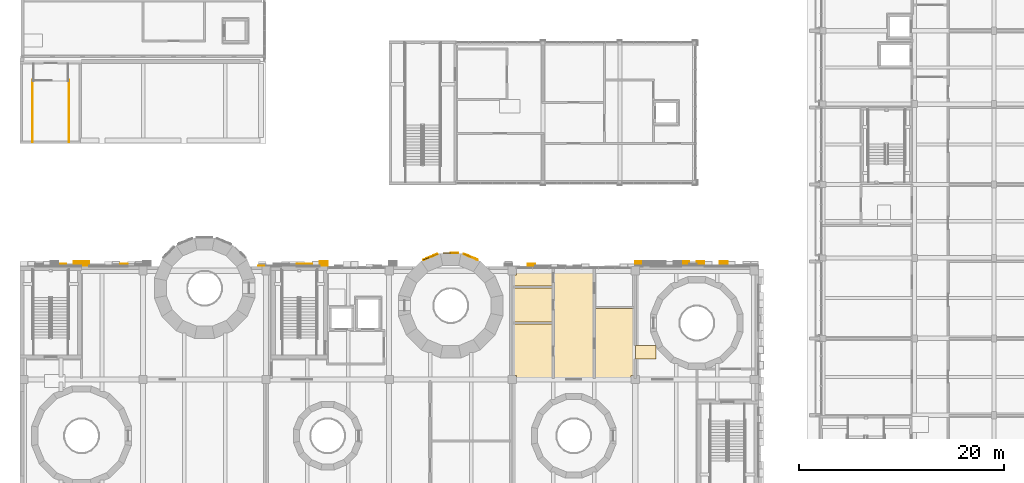
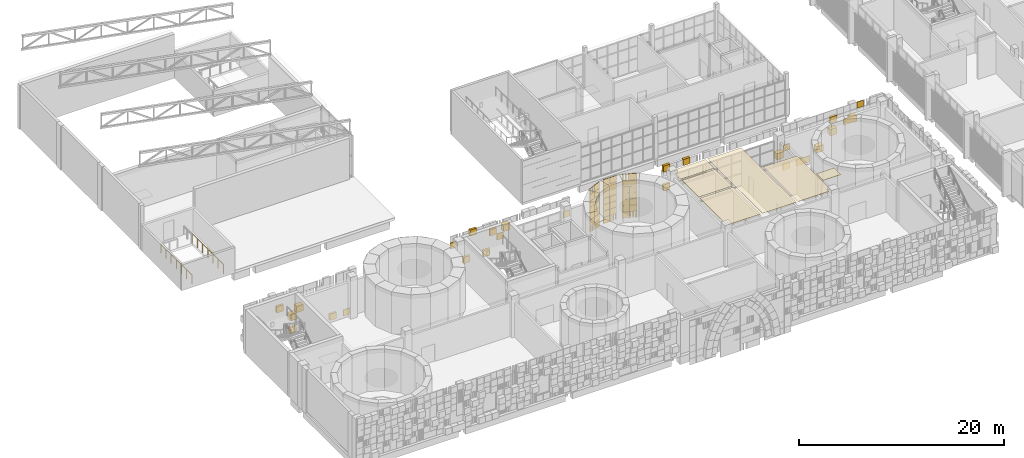
# One storey, part 100 of 125: 13 coverings, 2 railings.
"""IFC4 building model written with IfcOpenShell, lengths in metres."""

from ifc_helpers import new_model, si_unit, direction, frame, origin, origin_2d, place, context, subcontext, project, spatial, polyline, rectangle, circle, outline, extrude, material, layer, layer_set, type_object, element, save


model = new_model("IFC4")

# Units and contexts
model_context = context("Model", 3, precision=1e-05, world=origin(), true_north=direction((0.0, 1.0)))
body_context = subcontext(model_context, "Body", "Model", "MODEL_VIEW")
ifc_project = project(units=[si_unit("LENGTHUNIT", "METRE"), si_unit("AREAUNIT", "SQUARE_METRE"), si_unit("VOLUMEUNIT", "CUBIC_METRE"), si_unit("PLANEANGLEUNIT", "RADIAN"), si_unit("MASSUNIT", "GRAM", prefix="KILO")], contexts=[model_context])

# Site, building, storey
site_placement = place(None, origin())
site = spatial("IfcSite", under=ifc_project, at=site_placement, CompositionType="ELEMENT")
building_placement = place(site_placement, origin())
building = spatial("IfcBuilding", under=site, at=building_placement, Name="Sun Court Science Centre", CompositionType="ELEMENT")
storey_placement = place(building_placement, frame((0.0, 0.0, 6.0)))
storey = spatial("IfcBuildingStorey", under=building, at=storey_placement, Name="L01", CompositionType="ELEMENT", Elevation=6.0)

# Coverings
ifc_material_1 = material(Name="Gypsum board")
ifc_layer_1 = layer(ifc_material_1, 0.030029296875)
ifc_layer_set_1 = layer_set([ifc_layer_1], Name="Gypsum board")
covering_type_1 = type_object("IfcCoveringType", Name="Ceiling suspended 600 module", PredefinedType="CEILING", material=ifc_layer_set_1)
covering_1_placement = place(storey_placement, frame((0.0, 0.0, 4.52001953125)))
element("IfcCovering", 1, at=covering_1_placement, inside=storey, type_object=covering_type_1, Name="L01-019 ceiling", PredefinedType="CEILING", context=body_context, shape_type="SweptSolid", body=[
    extrude(outline(polyline([(48.10009765625, 17.39990234375), (48.10009765625, 22.39990234375), (51.89990234375, 22.39990234375), (51.89990234375, 17.10009765625), (48.39990234375, 17.10009765625), (48.39990234375, 17.39990234375), (48.10009765625, 17.39990234375)])), origin(), (0.0, 0.0, 1.0), 0.030029296875),
])
covering_2_placement = place(storey_placement, frame((0.0, 0.0, 4.52001953125)))
element("IfcCovering", 2, at=covering_2_placement, inside=storey, type_object=covering_type_1, Name="L01-020 ceiling", PredefinedType="CEILING", context=body_context, shape_type="SweptSolid", body=[
    extrude(outline(polyline([(48.10009765625, 25.89990234375), (51.89990234375, 25.89990234375), (51.89990234375, 22.60009765625), (48.10009765625, 22.60009765625), (48.10009765625, 25.89990234375)])), origin(), (0.0, 0.0, 1.0), 0.030029296875),
])
covering_3_placement = place(storey_placement, frame((0.0, 0.0, 4.52001953125)))
element("IfcCovering", 3, at=covering_3_placement, inside=storey, type_object=covering_type_1, Name="L01-021 ceiling", PredefinedType="CEILING", context=body_context, shape_type="SweptSolid", body=[
    extrude(outline(polyline([(51.89990234375, 27.800048828125), (51.89990234375, 26.10009765625), (48.10009765625, 26.10009765625), (48.10009765625, 27.199951171875), (48.39990234375, 27.199951171875), (48.39990234375, 27.800048828125), (51.89990234375, 27.800048828125)])), origin(), (0.0, 0.0, 1.0), 0.030029296875),
])
covering_4_placement = place(storey_placement, frame((0.0, 0.0, 4.52001953125)))
element("IfcCovering", 4, at=covering_4_placement, inside=storey, type_object=covering_type_1, Name="L01-022 ceiling", PredefinedType="CEILING", context=body_context, shape_type="SweptSolid", body=[
    extrude(outline(polyline([(55.89990234375, 27.800048828125), (55.89990234375, 17.10009765625), (52.10009765625, 17.10009765625), (52.10009765625, 27.800048828125), (55.89990234375, 27.800048828125)])), origin(), (0.0, 0.0, 1.0), 0.030029296875),
])
covering_5_placement = place(storey_placement, frame((0.0, 0.0, 4.52001953125)))
element("IfcCovering", 5, at=covering_5_placement, inside=storey, type_object=covering_type_1, Name="L01-023 ceiling", PredefinedType="CEILING", context=body_context, shape_type="SweptSolid", body=[
    extrude(outline(polyline([(56.10009765625, 17.10009765625), (56.10009765625, 23.89990234375), (59.89990234375, 23.89990234375), (59.89990234375, 17.39990234375), (59.60009765625, 17.39990234375), (59.60009765625, 17.10009765625), (56.10009765625, 17.10009765625)])), origin(), (0.0, 0.0, 1.0), 0.030029296875),
])
covering_6_placement = place(storey_placement, frame((0.0, 0.0, 4.52001953125)))
element("IfcCovering", 6, at=covering_6_placement, inside=storey, type_object=covering_type_1, Name="L01-030 ceiling", PredefinedType="CEILING", context=body_context, shape_type="SweptSolid", body=[
    extrude(outline(polyline([(62.0, 20.300048828125), (62.0, 19.0), (60.0, 19.0), (60.0, 20.300048828125), (62.0, 20.300048828125)])), origin(), (0.0, 0.0, 1.0), 0.030029296875),
])

# Railings
ifc_material_2 = material(Name="Steel S275", Category="steel")
railing_type = type_object("IfcRailingType", Name="Guard 1100 steel balustrade", PredefinedType="GUARDRAIL", material=ifc_material_2)
for number, where, name in (
    (7, (1.22705078125, 46.201904296875, 0.0), "L01 ST1 top well guard 2"),
    (8, (4.77294921875, 46.201904296875, 0.0), "L01 ST1 top well guard 3"),
):
    element("IfcRailing", number, at=place(storey_placement, frame(where)), inside=storey, type_object=railing_type, Name=name, PredefinedType="GUARDRAIL", context=body_context, shape_type="SweptSolid", body=[
        extrude(circle(Radius=0.02392578125, at=origin_2d()), frame((0.0, 0.0, 1.076171875), z_axis=(0.0, -1.0, 0.0), x_axis=(1.0, 0.0, 0.0)), (0.0, 0.0, 1.0), 6.052001953125),
        extrude(circle(Radius=0.02099609375, at=origin_2d()), origin(), (0.0, 0.0, 1.0), 1.052001953125),
        extrude(circle(Radius=0.02099609375, at=origin_2d()), frame((0.0, -1.0087890625, 0.0)), (0.0, 0.0, 1.0), 1.052001953125),
        extrude(circle(Radius=0.02099609375, at=origin_2d()), frame((0.0, -2.017333984375, 0.0)), (0.0, 0.0, 1.0), 1.052001953125),
        extrude(circle(Radius=0.02099609375, at=origin_2d()), frame((0.0, -3.02587890625, 0.0)), (0.0, 0.0, 1.0), 1.052001953125),
        extrude(circle(Radius=0.02099609375, at=origin_2d()), frame((0.0, -4.03466796875, 0.0)), (0.0, 0.0, 1.0), 1.052001953125),
        extrude(circle(Radius=0.02099609375, at=origin_2d()), frame((0.0, -5.04345703125, 0.0)), (0.0, 0.0, 1.0), 1.052001953125),
        extrude(circle(Radius=0.02099609375, at=origin_2d()), frame((0.0, -6.052001953125, 0.0)), (0.0, 0.0, 1.0), 1.052001953125),
    ])

# Coverings
ifc_material_3 = material(Name="Terracotta jali", Category="masonry")
ifc_layer_2 = layer(ifc_material_3, 0.06005859375)
ifc_layer_set_2 = layer_set([ifc_layer_2], Name="Terracotta jali")
covering_type_2 = type_object("IfcCoveringType", Name="Terracotta open jali panel", PredefinedType="CLADDING", material=ifc_layer_set_2)
covering_7_placement = place(storey_placement, frame((0.0, 0.0, -6.0)))
element("IfcCovering", 9, at=covering_7_placement, inside=storey, type_object=covering_type_2, Name="Open jali pixel cladding cone 4 L01", PredefinedType="CLADDING", context=body_context, shape_type="SweptSolid", body=[
    extrude(rectangle(XDim=0.139892578125, YDim=0.06005859375, at=origin_2d()), frame((44.032470703125, 28.910888671875, 5.705078125), z_axis=(0.0, 0.0, 1.0), x_axis=(0.923879532511, -0.382683432365, 0.0)), (0.0, 0.0, 1.0), 0.739990234375),
    extrude(rectangle(XDim=0.139892578125, YDim=0.06005859375, at=origin_2d()), frame((44.3095703125, 28.796142578125, 5.705078125), z_axis=(0.0, 0.0, 1.0), x_axis=(0.923879532511, -0.382683432365, 0.0)), (0.0, 0.0, 1.0), 0.739990234375),
    extrude(rectangle(XDim=0.139892578125, YDim=0.06005859375, at=origin_2d()), frame((44.5869140625, 28.68115234375, 5.705078125), z_axis=(0.0, 0.0, 1.0), x_axis=(0.923879532511, -0.382683432365, 0.0)), (0.0, 0.0, 1.0), 0.739990234375),
    extrude(rectangle(XDim=0.139892578125, YDim=0.06005859375, at=origin_2d()), frame((43.339599609375, 29.197998046875, 10.205078125), z_axis=(0.0, 0.0, 1.0), x_axis=(0.923879532511, -0.382683432365, 0.0)), (0.0, 0.0, 1.0), 0.739990234375),
    extrude(rectangle(XDim=0.139892578125, YDim=0.06005859375, at=origin_2d()), frame((43.61669921875, 29.0830078125, 10.205078125), z_axis=(0.0, 0.0, 1.0), x_axis=(0.923879532511, -0.382683432365, 0.0)), (0.0, 0.0, 1.0), 0.739990234375),
    extrude(rectangle(XDim=0.139892578125, YDim=0.06005859375, at=origin_2d()), frame((43.893798828125, 28.96826171875, 10.205078125), z_axis=(0.0, 0.0, 1.0), x_axis=(0.923879532511, -0.382683432365, 0.0)), (0.0, 0.0, 1.0), 0.739990234375),
    extrude(rectangle(XDim=0.139892578125, YDim=0.06005859375, at=origin_2d()), frame((42.074951171875, 29.330078125, 5.705078125), z_axis=(0.0, 0.0, 1.0), x_axis=(1.0, 0.0, 0.0)), (0.0, 0.0, 1.0), 0.739990234375),
    extrude(rectangle(XDim=0.139892578125, YDim=0.06005859375, at=origin_2d()), frame((42.375, 29.330078125, 5.705078125), z_axis=(0.0, 0.0, 1.0), x_axis=(1.0, 0.0, 0.0)), (0.0, 0.0, 1.0), 0.739990234375),
    extrude(rectangle(XDim=0.139892578125, YDim=0.06005859375, at=origin_2d()), frame((42.675048828125, 29.330078125, 5.705078125), z_axis=(0.0, 0.0, 1.0), x_axis=(1.0, 0.0, 0.0)), (0.0, 0.0, 1.0), 0.739990234375),
    extrude(rectangle(XDim=0.139892578125, YDim=0.06005859375, at=origin_2d()), frame((39.4130859375, 28.68115234375, 5.705078125), z_axis=(0.0, 0.0, 1.0), x_axis=(0.923879532511, 0.382683432365, 0.0)), (0.0, 0.0, 1.0), 0.739990234375),
    extrude(rectangle(XDim=0.139892578125, YDim=0.06005859375, at=origin_2d()), frame((39.6904296875, 28.796142578125, 5.705078125), z_axis=(0.0, 0.0, 1.0), x_axis=(0.923879532511, 0.382683432365, 0.0)), (0.0, 0.0, 1.0), 0.739990234375),
    extrude(rectangle(XDim=0.139892578125, YDim=0.06005859375, at=origin_2d()), frame((39.967529296875, 28.910888671875, 5.705078125), z_axis=(0.0, 0.0, 1.0), x_axis=(0.923879532511, 0.382683432365, 0.0)), (0.0, 0.0, 1.0), 0.739990234375),
    extrude(rectangle(XDim=0.139892578125, YDim=0.06005859375, at=origin_2d()), frame((40.106201171875, 28.96826171875, 8.705078125), z_axis=(0.0, 0.0, 1.0), x_axis=(0.923879532511, 0.382683432365, 0.0)), (0.0, 0.0, 1.0), 0.739990234375),
    extrude(rectangle(XDim=0.139892578125, YDim=0.06005859375, at=origin_2d()), frame((40.38330078125, 29.0830078125, 8.705078125), z_axis=(0.0, 0.0, 1.0), x_axis=(0.923879532511, 0.382683432365, 0.0)), (0.0, 0.0, 1.0), 0.739990234375),
    extrude(rectangle(XDim=0.139892578125, YDim=0.06005859375, at=origin_2d()), frame((40.660400390625, 29.197998046875, 8.705078125), z_axis=(0.0, 0.0, 1.0), x_axis=(0.923879532511, 0.382683432365, 0.0)), (0.0, 0.0, 1.0), 0.739990234375),
    extrude(rectangle(XDim=0.139892578125, YDim=0.06005859375, at=origin_2d()), frame((39.4130859375, 28.68115234375, 10.205078125), z_axis=(0.0, 0.0, 1.0), x_axis=(0.923879532511, 0.382683432365, 0.0)), (0.0, 0.0, 1.0), 0.739990234375),
    extrude(rectangle(XDim=0.139892578125, YDim=0.06005859375, at=origin_2d()), frame((39.6904296875, 28.796142578125, 10.205078125), z_axis=(0.0, 0.0, 1.0), x_axis=(0.923879532511, 0.382683432365, 0.0)), (0.0, 0.0, 1.0), 0.739990234375),
    extrude(rectangle(XDim=0.139892578125, YDim=0.06005859375, at=origin_2d()), frame((39.967529296875, 28.910888671875, 10.205078125), z_axis=(0.0, 0.0, 1.0), x_axis=(0.923879532511, 0.382683432365, 0.0)), (0.0, 0.0, 1.0), 0.739990234375),
    extrude(rectangle(XDim=0.739990234375, YDim=0.06005859375, at=origin_2d()), frame((44.3095703125, 28.796142578125, 7.205078125), z_axis=(0.0, 0.0, 1.0), x_axis=(0.923879532511, -0.382683432365, 0.0)), (0.0, 0.0, 1.0), 0.739990234375),
    extrude(rectangle(XDim=0.739990234375, YDim=0.06005859375, at=origin_2d()), frame((39.6904296875, 28.796142578125, 6.455078125), z_axis=(0.0, 0.0, 1.0), x_axis=(0.923879532511, 0.382683432365, 0.0)), (0.0, 0.0, 1.0), 0.739990234375),
    extrude(rectangle(XDim=0.739990234375, YDim=0.06005859375, at=origin_2d()), frame((39.6904296875, 28.796142578125, 7.955078125), z_axis=(0.0, 0.0, 1.0), x_axis=(0.923879532511, 0.382683432365, 0.0)), (0.0, 0.0, 1.0), 0.739990234375),
    extrude(rectangle(XDim=0.739990234375, YDim=0.06005859375, at=origin_2d()), frame((42.375, 29.330078125, 10.205078125), z_axis=(0.0, 0.0, 1.0), x_axis=(1.0, 0.0, 0.0)), (0.0, 0.0, 1.0), 0.739990234375),
    extrude(rectangle(XDim=0.739990234375, YDim=0.06005859375, at=origin_2d()), frame((40.38330078125, 29.0830078125, 5.705078125), z_axis=(0.0, 0.0, 1.0), x_axis=(0.923879532511, 0.382683432365, 0.0)), (0.0, 0.0, 1.0), 0.739990234375),
    extrude(rectangle(XDim=0.739990234375, YDim=0.06005859375, at=origin_2d()), frame((39.6904296875, 28.796142578125, 8.705078125), z_axis=(0.0, 0.0, 1.0), x_axis=(0.923879532511, 0.382683432365, 0.0)), (0.0, 0.0, 1.0), 0.739990234375),
    extrude(rectangle(XDim=0.739990234375, YDim=0.06005859375, at=origin_2d()), frame((44.3095703125, 28.796142578125, 10.205078125), z_axis=(0.0, 0.0, 1.0), x_axis=(0.923879532511, -0.382683432365, 0.0)), (0.0, 0.0, 1.0), 0.739990234375),
])
ifc_material_4 = material(Name="Terracotta shade 1", Category="masonry")
ifc_layer_3 = layer(ifc_material_4, 0.06005859375)
ifc_layer_set_3 = layer_set([ifc_layer_3], Name="Terracotta shade 1")
covering_type_3 = type_object("IfcCoveringType", Name="Terracotta pixel panel shade 1", PredefinedType="CLADDING", material=ifc_layer_set_3)
covering_8_placement = place(storey_placement, frame((0.0, 0.0, -6.0)))
element("IfcCovering", 10, at=covering_8_placement, inside=storey, type_object=covering_type_3, Name="Terracotta pixel cladding shade 1 cone 4 L01", PredefinedType="CLADDING", context=body_context, shape_type="SweptSolid", body=[
    extrude(rectangle(XDim=0.739990234375, YDim=0.06005859375, at=origin_2d()), frame((43.61669921875, 29.0830078125, 6.455078125), z_axis=(0.0, 0.0, 1.0), x_axis=(0.923879532511, -0.382683432365, 0.0)), (0.0, 0.0, 1.0), 0.739990234375),
    extrude(rectangle(XDim=0.739990234375, YDim=0.06005859375, at=origin_2d()), frame((43.61669921875, 29.0830078125, 7.205078125), z_axis=(0.0, 0.0, 1.0), x_axis=(0.923879532511, -0.382683432365, 0.0)), (0.0, 0.0, 1.0), 0.739990234375),
    extrude(rectangle(XDim=0.739990234375, YDim=0.06005859375, at=origin_2d()), frame((43.61669921875, 29.0830078125, 8.705078125), z_axis=(0.0, 0.0, 1.0), x_axis=(0.923879532511, -0.382683432365, 0.0)), (0.0, 0.0, 1.0), 0.739990234375),
    extrude(rectangle(XDim=0.739990234375, YDim=0.06005859375, at=origin_2d()), frame((41.625, 29.330078125, 7.205078125), z_axis=(0.0, 0.0, 1.0), x_axis=(1.0, 0.0, 0.0)), (0.0, 0.0, 1.0), 0.739990234375),
    extrude(rectangle(XDim=0.739990234375, YDim=0.06005859375, at=origin_2d()), frame((41.625, 29.330078125, 8.705078125), z_axis=(0.0, 0.0, 1.0), x_axis=(1.0, 0.0, 0.0)), (0.0, 0.0, 1.0), 0.739990234375),
    extrude(rectangle(XDim=0.739990234375, YDim=0.06005859375, at=origin_2d()), frame((42.375, 29.330078125, 8.705078125), z_axis=(0.0, 0.0, 1.0), x_axis=(1.0, 0.0, 0.0)), (0.0, 0.0, 1.0), 0.739990234375),
    extrude(rectangle(XDim=0.739990234375, YDim=0.06005859375, at=origin_2d()), frame((41.625, 29.330078125, 9.455078125), z_axis=(0.0, 0.0, 1.0), x_axis=(1.0, 0.0, 0.0)), (0.0, 0.0, 1.0), 0.739990234375),
    extrude(rectangle(XDim=0.739990234375, YDim=0.06005859375, at=origin_2d()), frame((42.375, 29.330078125, 9.455078125), z_axis=(0.0, 0.0, 1.0), x_axis=(1.0, 0.0, 0.0)), (0.0, 0.0, 1.0), 0.739990234375),
    extrude(rectangle(XDim=0.739990234375, YDim=0.06005859375, at=origin_2d()), frame((41.625, 29.330078125, 10.205078125), z_axis=(0.0, 0.0, 1.0), x_axis=(1.0, 0.0, 0.0)), (0.0, 0.0, 1.0), 0.739990234375),
    extrude(rectangle(XDim=0.739990234375, YDim=0.06005859375, at=origin_2d()), frame((40.38330078125, 29.0830078125, 7.205078125), z_axis=(0.0, 0.0, 1.0), x_axis=(0.923879532511, 0.382683432365, 0.0)), (0.0, 0.0, 1.0), 0.739990234375),
    extrude(rectangle(XDim=0.739990234375, YDim=0.06005859375, at=origin_2d()), frame((43.61669921875, 29.0830078125, 7.955078125), z_axis=(0.0, 0.0, 1.0), x_axis=(0.923879532511, -0.382683432365, 0.0)), (0.0, 0.0, 1.0), 0.739990234375),
    extrude(rectangle(XDim=0.739990234375, YDim=0.06005859375, at=origin_2d()), frame((42.375, 29.330078125, 6.455078125), z_axis=(0.0, 0.0, 1.0), x_axis=(1.0, 0.0, 0.0)), (0.0, 0.0, 1.0), 0.739990234375),
])
ifc_material_5 = material(Name="Terracotta shade 2", Category="masonry")
ifc_layer_4 = layer(ifc_material_5, 0.06005859375)
ifc_layer_set_4 = layer_set([ifc_layer_4], Name="Terracotta shade 2")
covering_type_4 = type_object("IfcCoveringType", Name="Terracotta pixel panel shade 2", PredefinedType="CLADDING", material=ifc_layer_set_4)
covering_9_placement = place(storey_placement, frame((0.0, 0.0, -6.0)))
element("IfcCovering", 11, at=covering_9_placement, inside=storey, type_object=covering_type_4, Name="Terracotta pixel cladding shade 2 cone 4 L01", PredefinedType="CLADDING", context=body_context, shape_type="SweptSolid", body=[
    extrude(rectangle(XDim=0.739990234375, YDim=0.06005859375, at=origin_2d()), frame((43.61669921875, 29.0830078125, 5.705078125), z_axis=(0.0, 0.0, 1.0), x_axis=(0.923879532511, -0.382683432365, 0.0)), (0.0, 0.0, 1.0), 0.739990234375),
    extrude(rectangle(XDim=0.739990234375, YDim=0.06005859375, at=origin_2d()), frame((44.3095703125, 28.796142578125, 6.455078125), z_axis=(0.0, 0.0, 1.0), x_axis=(0.923879532511, -0.382683432365, 0.0)), (0.0, 0.0, 1.0), 0.739990234375),
    extrude(rectangle(XDim=0.739990234375, YDim=0.06005859375, at=origin_2d()), frame((44.3095703125, 28.796142578125, 7.955078125), z_axis=(0.0, 0.0, 1.0), x_axis=(0.923879532511, -0.382683432365, 0.0)), (0.0, 0.0, 1.0), 0.739990234375),
    extrude(rectangle(XDim=0.739990234375, YDim=0.06005859375, at=origin_2d()), frame((43.61669921875, 29.0830078125, 9.455078125), z_axis=(0.0, 0.0, 1.0), x_axis=(0.923879532511, -0.382683432365, 0.0)), (0.0, 0.0, 1.0), 0.739990234375),
    extrude(rectangle(XDim=0.739990234375, YDim=0.06005859375, at=origin_2d()), frame((42.375, 29.330078125, 7.205078125), z_axis=(0.0, 0.0, 1.0), x_axis=(1.0, 0.0, 0.0)), (0.0, 0.0, 1.0), 0.739990234375),
    extrude(rectangle(XDim=0.739990234375, YDim=0.06005859375, at=origin_2d()), frame((40.38330078125, 29.0830078125, 6.455078125), z_axis=(0.0, 0.0, 1.0), x_axis=(0.923879532511, 0.382683432365, 0.0)), (0.0, 0.0, 1.0), 0.739990234375),
    extrude(rectangle(XDim=0.739990234375, YDim=0.06005859375, at=origin_2d()), frame((44.3095703125, 28.796142578125, 8.705078125), z_axis=(0.0, 0.0, 1.0), x_axis=(0.923879532511, -0.382683432365, 0.0)), (0.0, 0.0, 1.0), 0.739990234375),
    extrude(rectangle(XDim=0.739990234375, YDim=0.06005859375, at=origin_2d()), frame((44.3095703125, 28.796142578125, 9.455078125), z_axis=(0.0, 0.0, 1.0), x_axis=(0.923879532511, -0.382683432365, 0.0)), (0.0, 0.0, 1.0), 0.739990234375),
])
ifc_material_6 = material(Name="Terracotta shade 3", Category="masonry")
ifc_layer_5 = layer(ifc_material_6, 0.06005859375)
ifc_layer_set_5 = layer_set([ifc_layer_5], Name="Terracotta shade 3")
covering_type_5 = type_object("IfcCoveringType", Name="Terracotta pixel panel shade 3", PredefinedType="CLADDING", material=ifc_layer_set_5)
covering_10_placement = place(storey_placement, frame((0.0, 0.0, -6.0)))
element("IfcCovering", 12, at=covering_10_placement, inside=storey, type_object=covering_type_5, Name="Terracotta pixel cladding shade 3 cone 4 L01", PredefinedType="CLADDING", context=body_context, shape_type="SweptSolid", body=[
    extrude(rectangle(XDim=0.739990234375, YDim=0.06005859375, at=origin_2d()), frame((41.625, 29.330078125, 6.455078125), z_axis=(0.0, 0.0, 1.0), x_axis=(1.0, 0.0, 0.0)), (0.0, 0.0, 1.0), 0.739990234375),
    extrude(rectangle(XDim=0.739990234375, YDim=0.06005859375, at=origin_2d()), frame((41.625, 29.330078125, 7.955078125), z_axis=(0.0, 0.0, 1.0), x_axis=(1.0, 0.0, 0.0)), (0.0, 0.0, 1.0), 0.739990234375),
    extrude(rectangle(XDim=0.739990234375, YDim=0.06005859375, at=origin_2d()), frame((40.38330078125, 29.0830078125, 7.955078125), z_axis=(0.0, 0.0, 1.0), x_axis=(0.923879532511, 0.382683432365, 0.0)), (0.0, 0.0, 1.0), 0.739990234375),
    extrude(rectangle(XDim=0.739990234375, YDim=0.06005859375, at=origin_2d()), frame((39.6904296875, 28.796142578125, 9.455078125), z_axis=(0.0, 0.0, 1.0), x_axis=(0.923879532511, 0.382683432365, 0.0)), (0.0, 0.0, 1.0), 0.739990234375),
    extrude(rectangle(XDim=0.739990234375, YDim=0.06005859375, at=origin_2d()), frame((40.38330078125, 29.0830078125, 10.205078125), z_axis=(0.0, 0.0, 1.0), x_axis=(0.923879532511, 0.382683432365, 0.0)), (0.0, 0.0, 1.0), 0.739990234375),
    extrude(rectangle(XDim=0.739990234375, YDim=0.06005859375, at=origin_2d()), frame((39.6904296875, 28.796142578125, 7.205078125), z_axis=(0.0, 0.0, 1.0), x_axis=(0.923879532511, 0.382683432365, 0.0)), (0.0, 0.0, 1.0), 0.739990234375),
])
ifc_material_7 = material(Name="Terracotta shade 4", Category="masonry")
ifc_layer_6 = layer(ifc_material_7, 0.06005859375)
ifc_layer_set_6 = layer_set([ifc_layer_6], Name="Terracotta shade 4")
covering_type_6 = type_object("IfcCoveringType", Name="Terracotta pixel panel shade 4", PredefinedType="CLADDING", material=ifc_layer_set_6)
covering_11_placement = place(storey_placement, frame((0.0, 0.0, -6.0)))
element("IfcCovering", 13, at=covering_11_placement, inside=storey, type_object=covering_type_6, Name="Terracotta pixel cladding shade 4 cone 4 L01", PredefinedType="CLADDING", context=body_context, shape_type="SweptSolid", body=[
    extrude(rectangle(XDim=0.739990234375, YDim=0.06005859375, at=origin_2d()), frame((42.375, 29.330078125, 7.955078125), z_axis=(0.0, 0.0, 1.0), x_axis=(1.0, 0.0, 0.0)), (0.0, 0.0, 1.0), 0.739990234375),
    extrude(rectangle(XDim=0.739990234375, YDim=0.06005859375, at=origin_2d()), frame((40.38330078125, 29.0830078125, 9.455078125), z_axis=(0.0, 0.0, 1.0), x_axis=(0.923879532511, 0.382683432365, 0.0)), (0.0, 0.0, 1.0), 0.739990234375),
])
ifc_material_8 = material(Name="Terracotta shade 5", Category="masonry")
ifc_layer_7 = layer(ifc_material_8, 0.06005859375)
ifc_layer_set_7 = layer_set([ifc_layer_7], Name="Terracotta shade 5")
covering_type_7 = type_object("IfcCoveringType", Name="Terracotta pixel panel shade 5", PredefinedType="CLADDING", material=ifc_layer_set_7)
covering_12_placement = place(storey_placement, frame((0.0, 0.0, -6.0)))
element("IfcCovering", 14, at=covering_12_placement, inside=storey, type_object=covering_type_7, Name="Terracotta pixel cladding shade 5 north face L01", PredefinedType="CLADDING", context=body_context, shape_type="SweptSolid", body=[
    extrude(rectangle(XDim=0.739990234375, YDim=0.260009765625, at=origin_2d()), frame((5.625, 28.1298828125, 6.0048828125), z_axis=(0.0, 0.0, 1.0), x_axis=(1.0, 0.0, 0.0)), (0.0, 0.0, 1.0), 0.739990234375),
    extrude(rectangle(XDim=0.739990234375, YDim=0.260009765625, at=origin_2d()), frame((10.125, 28.1298828125, 6.0048828125), z_axis=(0.0, 0.0, 1.0), x_axis=(1.0, 0.0, 0.0)), (0.0, 0.0, 1.0), 0.739990234375),
    extrude(rectangle(XDim=0.739990234375, YDim=0.06005859375, at=origin_2d()), frame((11.625, 28.030029296875, 6.0048828125), z_axis=(0.0, 0.0, 1.0), x_axis=(1.0, 0.0, 0.0)), (0.0, 0.0, 1.0), 0.739990234375),
    extrude(rectangle(XDim=0.739990234375, YDim=0.260009765625, at=origin_2d()), frame((61.125, 28.1298828125, 6.0048828125), z_axis=(0.0, 0.0, 1.0), x_axis=(1.0, 0.0, 0.0)), (0.0, 0.0, 1.0), 0.739990234375),
    extrude(rectangle(XDim=0.739990234375, YDim=0.260009765625, at=origin_2d()), frame((62.625, 28.1298828125, 6.0048828125), z_axis=(0.0, 0.0, 1.0), x_axis=(1.0, 0.0, 0.0)), (0.0, 0.0, 1.0), 0.739990234375),
    extrude(rectangle(XDim=0.739990234375, YDim=0.06005859375, at=origin_2d()), frame((63.375, 28.030029296875, 6.0048828125), z_axis=(0.0, 0.0, 1.0), x_axis=(1.0, 0.0, 0.0)), (0.0, 0.0, 1.0), 0.739990234375),
    extrude(rectangle(XDim=0.739990234375, YDim=0.510009765625, at=origin_2d()), frame((64.875, 28.2548828125, 6.7548828125), z_axis=(0.0, 0.0, 1.0), x_axis=(1.0, 0.0, 0.0)), (0.0, 0.0, 1.0), 0.739990234375),
    extrude(rectangle(XDim=0.739990234375, YDim=0.510009765625, at=origin_2d()), frame((5.625, 28.2548828125, 7.5048828125), z_axis=(0.0, 0.0, 1.0), x_axis=(1.0, 0.0, 0.0)), (0.0, 0.0, 1.0), 0.739990234375),
    extrude(rectangle(XDim=0.739990234375, YDim=0.260009765625, at=origin_2d()), frame((25.125, 28.1298828125, 7.5048828125), z_axis=(0.0, 0.0, 1.0), x_axis=(1.0, 0.0, 0.0)), (0.0, 0.0, 1.0), 0.739990234375),
    extrude(rectangle(XDim=0.739990234375, YDim=0.260009765625, at=origin_2d()), frame((27.375, 28.1298828125, 7.5048828125), z_axis=(0.0, 0.0, 1.0), x_axis=(1.0, 0.0, 0.0)), (0.0, 0.0, 1.0), 0.739990234375),
    extrude(rectangle(XDim=0.739990234375, YDim=0.510009765625, at=origin_2d()), frame((60.375, 28.2548828125, 7.5048828125), z_axis=(0.0, 0.0, 1.0), x_axis=(1.0, 0.0, 0.0)), (0.0, 0.0, 1.0), 0.739990234375),
    extrude(rectangle(XDim=0.739990234375, YDim=0.510009765625, at=origin_2d()), frame((6.375, 28.2548828125, 8.2548828125), z_axis=(0.0, 0.0, 1.0), x_axis=(1.0, 0.0, 0.0)), (0.0, 0.0, 1.0), 0.739990234375),
    extrude(rectangle(XDim=0.739990234375, YDim=0.260009765625, at=origin_2d()), frame((47.625, 28.1298828125, 8.2548828125), z_axis=(0.0, 0.0, 1.0), x_axis=(1.0, 0.0, 0.0)), (0.0, 0.0, 1.0), 0.739990234375),
    extrude(rectangle(XDim=0.739990234375, YDim=0.06005859375, at=origin_2d()), frame((61.125, 28.030029296875, 8.2548828125), z_axis=(0.0, 0.0, 1.0), x_axis=(1.0, 0.0, 0.0)), (0.0, 0.0, 1.0), 0.739990234375),
    extrude(rectangle(XDim=0.739990234375, YDim=0.510009765625, at=origin_2d()), frame((66.375, 28.2548828125, 8.2548828125), z_axis=(0.0, 0.0, 1.0), x_axis=(1.0, 0.0, 0.0)), (0.0, 0.0, 1.0), 0.739990234375),
    extrude(rectangle(XDim=0.739990234375, YDim=0.260009765625, at=origin_2d()), frame((4.125, 28.1298828125, 9.0048828125), z_axis=(0.0, 0.0, 1.0), x_axis=(1.0, 0.0, 0.0)), (0.0, 0.0, 1.0), 0.739990234375),
    extrude(rectangle(XDim=0.739990234375, YDim=0.06005859375, at=origin_2d()), frame((28.875, 28.030029296875, 9.0048828125), z_axis=(0.0, 0.0, 1.0), x_axis=(1.0, 0.0, 0.0)), (0.0, 0.0, 1.0), 0.739990234375),
    extrude(rectangle(XDim=0.739990234375, YDim=0.06005859375, at=origin_2d()), frame((36.375, 28.030029296875, 9.0048828125), z_axis=(0.0, 0.0, 1.0), x_axis=(1.0, 0.0, 0.0)), (0.0, 0.0, 1.0), 0.739990234375),
    extrude(rectangle(XDim=0.739990234375, YDim=0.06005859375, at=origin_2d()), frame((67.875, 28.030029296875, 9.0048828125), z_axis=(0.0, 0.0, 1.0), x_axis=(1.0, 0.0, 0.0)), (0.0, 0.0, 1.0), 0.739990234375),
    extrude(rectangle(XDim=0.739990234375, YDim=0.510009765625, at=origin_2d()), frame((68.625, 28.2548828125, 9.0048828125), z_axis=(0.0, 0.0, 1.0), x_axis=(1.0, 0.0, 0.0)), (0.0, 0.0, 1.0), 0.739990234375),
    extrude(rectangle(XDim=0.739990234375, YDim=0.06005859375, at=origin_2d()), frame((23.625, 28.030029296875, 9.7548828125), z_axis=(0.0, 0.0, 1.0), x_axis=(1.0, 0.0, 0.0)), (0.0, 0.0, 1.0), 0.739990234375),
    extrude(rectangle(XDim=0.739990234375, YDim=0.260009765625, at=origin_2d()), frame((28.125, 28.1298828125, 9.7548828125), z_axis=(0.0, 0.0, 1.0), x_axis=(1.0, 0.0, 0.0)), (0.0, 0.0, 1.0), 0.739990234375),
    extrude(rectangle(XDim=0.739990234375, YDim=0.510009765625, at=origin_2d()), frame((29.625, 28.2548828125, 9.7548828125), z_axis=(0.0, 0.0, 1.0), x_axis=(1.0, 0.0, 0.0)), (0.0, 0.0, 1.0), 0.739990234375),
    extrude(rectangle(XDim=0.739990234375, YDim=0.260009765625, at=origin_2d()), frame((66.375, 28.1298828125, 9.7548828125), z_axis=(0.0, 0.0, 1.0), x_axis=(1.0, 0.0, 0.0)), (0.0, 0.0, 1.0), 0.739990234375),
    extrude(rectangle(XDim=0.739990234375, YDim=0.260009765625, at=origin_2d()), frame((25.875, 28.1298828125, 10.5048828125), z_axis=(0.0, 0.0, 1.0), x_axis=(1.0, 0.0, 0.0)), (0.0, 0.0, 1.0), 0.739990234375),
    extrude(rectangle(XDim=0.739990234375, YDim=0.260009765625, at=origin_2d()), frame((47.625, 28.1298828125, 10.5048828125), z_axis=(0.0, 0.0, 1.0), x_axis=(1.0, 0.0, 0.0)), (0.0, 0.0, 1.0), 0.739990234375),
    extrude(rectangle(XDim=0.739990234375, YDim=0.260009765625, at=origin_2d()), frame((49.875, 28.1298828125, 10.5048828125), z_axis=(0.0, 0.0, 1.0), x_axis=(1.0, 0.0, 0.0)), (0.0, 0.0, 1.0), 0.739990234375),
    extrude(rectangle(XDim=0.739990234375, YDim=0.06005859375, at=origin_2d()), frame((69.375, 28.030029296875, 10.5048828125), z_axis=(0.0, 0.0, 1.0), x_axis=(1.0, 0.0, 0.0)), (0.0, 0.0, 1.0), 0.739990234375),
])
covering_13_placement = place(storey_placement, frame((0.0, 0.0, -6.0)))
element("IfcCovering", 15, at=covering_13_placement, inside=storey, type_object=covering_type_7, Name="Terracotta pixel cladding shade 5 cone 4 L01", PredefinedType="CLADDING", context=body_context, shape_type="SweptSolid", body=[
    extrude(rectangle(XDim=0.739990234375, YDim=0.06005859375, at=origin_2d()), frame((41.625, 29.330078125, 5.705078125), z_axis=(0.0, 0.0, 1.0), x_axis=(1.0, 0.0, 0.0)), (0.0, 0.0, 1.0), 0.739990234375),
])

save(model, "model.ifc")
